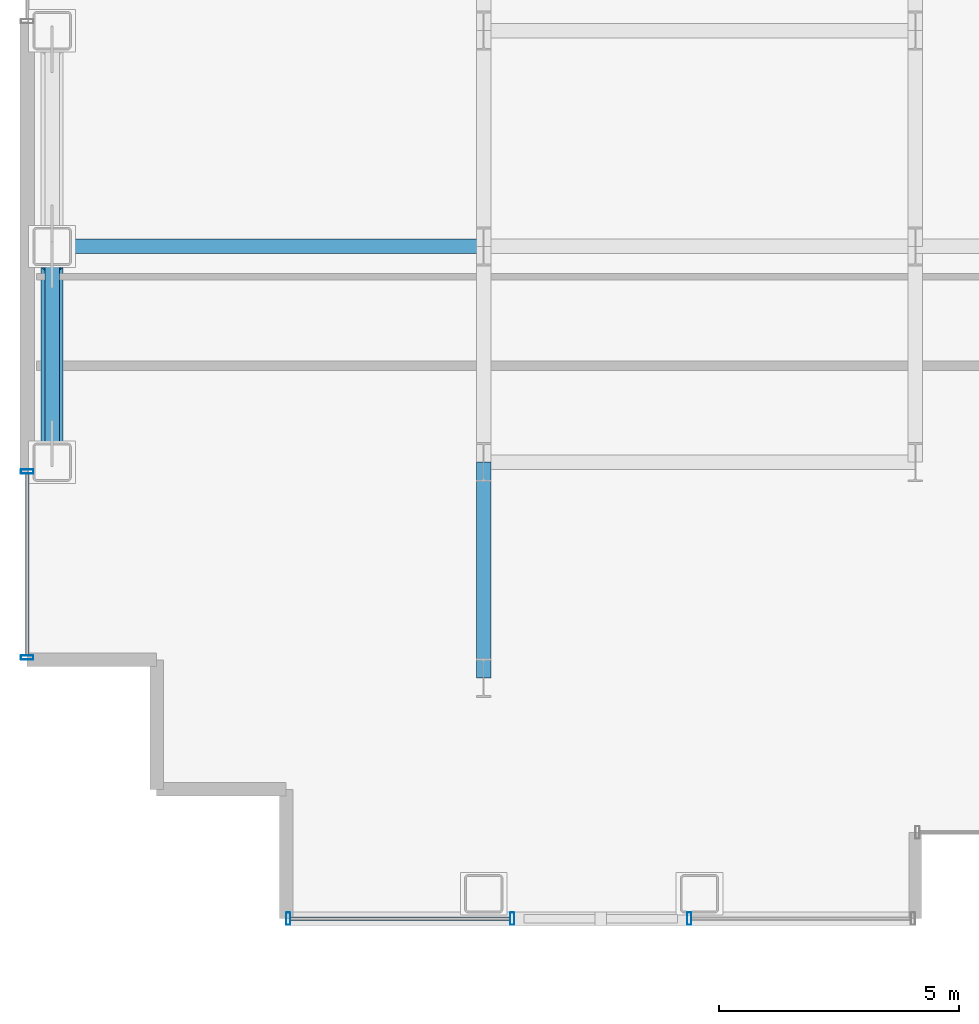
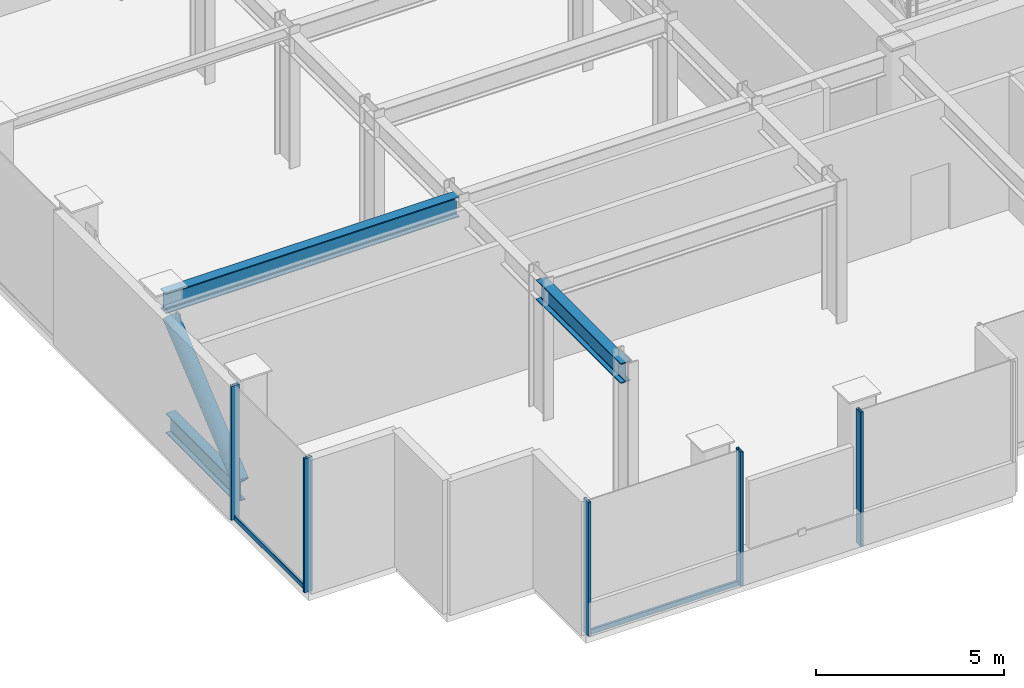
# One storey, part 3 of 26: 9 members, 2 beams, 3 elements without a shape of their own.
"""IFC4 building model written with IfcOpenShell, lengths in metres."""

from ifc_helpers import new_model, si_unit, direction, frame, origin, origin_2d, place, context, subcontext, project, spatial, hollow_rectangle, hollow_circle, i_section, extrude, source, transform, mapped, material, layer, layer_set, material_profile, profile_set, type_object, element, aggregate, save


model = new_model("IFC4")

# Units and contexts
model_context = context("Model", 3, precision=1e-05, world=origin(), true_north=direction((0.0, 1.0)))
body_context = subcontext(model_context, "Body", "Model", "MODEL_VIEW")
ifc_project = project(units=[si_unit("LENGTHUNIT", "METRE"), si_unit("AREAUNIT", "SQUARE_METRE"), si_unit("VOLUMEUNIT", "CUBIC_METRE"), si_unit("PLANEANGLEUNIT", "RADIAN"), si_unit("MASSUNIT", "GRAM", prefix="KILO")], contexts=[model_context])

# Site, building, storey
site_placement = place(None, origin())
site = spatial("IfcSite", under=ifc_project, at=site_placement, CompositionType="ELEMENT")
building_placement = place(site_placement, origin())
building = spatial("IfcBuilding", under=site, at=building_placement, Name="Nefas-Gora Pilgrimage Tower", CompositionType="ELEMENT")
storey_placement = place(building_placement, frame((0.0, 0.0, 202.0)))
storey = spatial("IfcBuildingStorey", under=building, at=storey_placement, Name="L50", CompositionType="ELEMENT", Elevation=202.0)

# Beams
ifc_material_1 = material(Name="Steel S355", Category="steel")
ifc_material_profile_1 = material_profile(ifc_material_1, i_section(OverallWidth=0.300048828125, OverallDepth=0.64990234375, WebThickness=0.01611328125, FlangeThickness=0.031005859375, FilletRadius=0.027099609375, at=origin_2d()), Name="HEB 650")
ifc_profile_set_1 = profile_set([ifc_material_profile_1], Name="Steel S355")
beam_type = type_object("IfcBeamType", Name="BM-GIR-HEB650", PredefinedType="BEAM", material=ifc_profile_set_1)
shared_shape_1 = source(origin(), body_context, "Body", "SweptSolid", [
    extrude(i_section(OverallWidth=0.300048828125, OverallDepth=0.64990234375, WebThickness=0.01611328125, FlangeThickness=0.031005859375, FilletRadius=0.027099609375, at=origin_2d()), origin(), (0.0, 0.0, 1.0), 9.0),
])
beam_1_placement = place(storey_placement, frame((-33.75, -9.0, 4.02490234375), z_axis=(1.0, 0.0, 0.0), x_axis=(0.0, 1.0, 0.0)))
element("IfcBeam", 1, at=beam_1_placement, inside=storey, type_object=beam_type, Name="L50 G-03 beam", PredefinedType="BEAM", context=body_context, shape_type="MappedRepresentation", body=[
    mapped(shared_shape_1, transform((0.0, 0.0, 0.0), x_axis=(1.0, 0.0, 0.0), y_axis=(0.0, 1.0, 0.0), z_axis=(0.0, 0.0, 1.0), scale=1.0)),
])
shared_shape_2 = source(origin(), body_context, "Body", "SweptSolid", [
    extrude(i_section(OverallWidth=0.300048828125, OverallDepth=0.64990234375, WebThickness=0.01611328125, FlangeThickness=0.031005859375, FilletRadius=0.027099609375, at=origin_2d()), origin(), (0.0, 0.0, 1.0), 4.5),
])
beam_2_placement = place(storey_placement, frame((-24.75, -18.0, 4.02490234375), z_axis=(0.0, 1.0, 0.0), x_axis=(-1.0, 0.0, 0.0)))
element("IfcBeam", 2, at=beam_2_placement, inside=storey, type_object=beam_type, Name="L50 G-03 beam", PredefinedType="BEAM", context=body_context, shape_type="MappedRepresentation", body=[
    mapped(shared_shape_2, transform((0.0, 0.0, 0.0), x_axis=(1.0, 0.0, 0.0), y_axis=(0.0, 1.0, 0.0), z_axis=(0.0, 0.0, 1.0), scale=1.0)),
])

# Members
ifc_material_2 = material(Name="Steel S460", Category="steel")
ifc_material_profile_2 = material_profile(ifc_material_2, hollow_circle(Radius=0.228515625, WallThickness=0.028076171875, at=origin_2d()), Name="CHS 457x28")
ifc_profile_set_2 = profile_set([ifc_material_profile_2], Name="Steel S460")
member_type_1 = type_object("IfcMemberType", Name="MEM-BELT-457", PredefinedType="BRACE", material=ifc_profile_set_2)
shared_shape_3 = source(origin(), body_context, "Body", "SweptSolid", [
    extrude(hollow_circle(Radius=0.228515625, WallThickness=0.028076171875, at=origin_2d()), origin(), (0.0, 0.0, 1.0), 4.84765625),
])
member_1_placement = place(storey_placement, frame((-33.75, -13.112060546875, 0.67333984375), z_axis=(0.0, 0.768237791814, 0.640164584485), x_axis=(-1.0, 0.0, 0.0)))
element("IfcMember", 3, at=member_1_placement, inside=storey, type_object=member_type_1, Name="L50 Perimeter Belt-Truss Diagonal 1", PredefinedType="BRACE", context=body_context, shape_type="MappedRepresentation", body=[
    mapped(shared_shape_3, transform((0.0, 0.0, 0.0), x_axis=(1.0, 0.0, 0.0), y_axis=(0.0, 1.0, 0.0), z_axis=(0.0, 0.0, 1.0), scale=1.0)),
])
ifc_material_profile_3 = material_profile(ifc_material_2, i_section(OverallWidth=0.300048828125, OverallDepth=0.64990234375, WebThickness=0.01611328125, FlangeThickness=0.031005859375, FilletRadius=0.027099609375, at=origin_2d()), Name="HEB 650")
ifc_profile_set_3 = profile_set([ifc_material_profile_3], Name="Steel S460")
member_type_2 = type_object("IfcMemberType", Name="MEM-BELT-CHORD", PredefinedType="CHORD", material=ifc_profile_set_3)
shared_shape_4 = source(origin(), body_context, "Body", "SweptSolid", [
    extrude(i_section(OverallWidth=0.300048828125, OverallDepth=0.64990234375, WebThickness=0.01611328125, FlangeThickness=0.031005859375, FilletRadius=0.027099609375, at=origin_2d()), origin(), (0.0, 0.0, 1.0), 3.72412109375),
])
member_2_placement = place(storey_placement, frame((-33.75, -13.112060546875, 0.35009765625), z_axis=(0.0, 1.0, 0.0), x_axis=(-1.0, 0.0, 0.0)))
element("IfcMember", 4, at=member_2_placement, inside=storey, type_object=member_type_2, Name="L50 Perimeter Belt-Truss Bottom Chord 1", PredefinedType="CHORD", context=body_context, shape_type="MappedRepresentation", body=[
    mapped(shared_shape_4, transform((0.0, 0.0, 0.0), x_axis=(1.0, 0.0, 0.0), y_axis=(0.0, 1.0, 0.0), z_axis=(0.0, 0.0, 1.0), scale=1.0)),
])

# Curtain wall, members
ifc_material_3 = material(Name="Dark ceramic-fritted solar-control aluminium-glass curtain wall", Category="aluminium")
ifc_layer = layer(ifc_material_3, 0.219970703125)
ifc_layer_set = layer_set([ifc_layer], Name="Dark ceramic-fritted solar-control aluminium-glass curtain wall")
curtain_wall_type = type_object("IfcCurtainWallType", Name="CW-SYS-3", PredefinedType="NOTDEFINED", material=ifc_layer_set)
curtain_wall_1_placement = place(storey_placement, origin())
curtain_wall_1 = element("IfcCurtainWall", 5, at=curtain_wall_1_placement, inside=storey, type_object=curtain_wall_type, Name="L50 Unitised Curtain Wall CW3", PredefinedType="NOTDEFINED")
ifc_material_4 = material(Name="Anodised architectural aluminium", Category="aluminium")
ifc_material_profile_4 = material_profile(ifc_material_4, hollow_rectangle(XDim=0.090087890625, YDim=0.260009765625, WallThickness=0.006103515625, InnerFilletRadius=0.006103515625, OuterFilletRadius=0.011962890625, at=origin_2d()), Name="ALU MULLION 90x260")
ifc_profile_set_4 = profile_set([ifc_material_profile_4], Name="Anodised architectural aluminium")
member_type_3 = type_object("IfcMemberType", Name="CWM-MUL-3", PredefinedType="MULLION", material=ifc_profile_set_4)
shared_shape_5 = source(origin(), body_context, "Body", "SweptSolid", [
    extrude(hollow_rectangle(XDim=0.090087890625, YDim=0.260009765625, WallThickness=0.006103515625, InnerFilletRadius=0.006103515625, OuterFilletRadius=0.011962890625, at=origin_2d()), origin(), (0.0, 0.0, 1.0), 4.35009765625),
])
member_3_placement = place(storey_placement, frame((-34.27001953125, -13.695068359375, 0.0), z_axis=(0.0, 0.0, 1.0), x_axis=(0.0, -1.0, 0.0)))
member_3 = element("IfcMember", 6, at=member_3_placement, type_object=member_type_3, Name="CW3 Mullion 1", PredefinedType="MULLION", context=body_context, shape_type="MappedRepresentation", body=[
    mapped(shared_shape_5, transform((0.0, 0.0, 0.0), x_axis=(1.0, 0.0, 0.0), y_axis=(0.0, 1.0, 0.0), z_axis=(0.0, 0.0, 1.0), scale=1.0)),
])
member_4_placement = place(storey_placement, frame((-34.27001953125, -17.574951171875, 0.0), z_axis=(0.0, 0.0, 1.0), x_axis=(0.0, -1.0, 0.0)))
member_4 = element("IfcMember", 7, at=member_4_placement, type_object=member_type_3, Name="CW3 Mullion 2", PredefinedType="MULLION", context=body_context, shape_type="MappedRepresentation", body=[
    mapped(shared_shape_5, transform((0.0, 0.0, 0.0), x_axis=(1.0, 0.0, 0.0), y_axis=(0.0, 1.0, 0.0), z_axis=(0.0, 0.0, 1.0), scale=1.0)),
])

curtain_wall_2_placement = place(storey_placement, origin())
curtain_wall_2 = element("IfcCurtainWall", 8, at=curtain_wall_2_placement, inside=storey, type_object=curtain_wall_type, Name="L50 Unitised Curtain Wall CW3", PredefinedType="NOTDEFINED")
member_5_placement = place(storey_placement, frame((-28.824951171875, -23.02001953125, 0.0), z_axis=(0.0, 0.0, 1.0), x_axis=(1.0, 0.0, 0.0)))
member_5 = element("IfcMember", 9, at=member_5_placement, type_object=member_type_3, Name="CW3 Mullion 1", PredefinedType="MULLION", context=body_context, shape_type="MappedRepresentation", body=[
    mapped(shared_shape_5, transform((0.0, 0.0, 0.0), x_axis=(1.0, 0.0, 0.0), y_axis=(0.0, 1.0, 0.0), z_axis=(0.0, 0.0, 1.0), scale=1.0)),
])
member_6_placement = place(storey_placement, frame((-24.155029296875, -23.02001953125, 0.0), z_axis=(0.0, 0.0, 1.0), x_axis=(1.0, 0.0, 0.0)))
member_6 = element("IfcMember", 10, at=member_6_placement, type_object=member_type_3, Name="CW3 Mullion 2", PredefinedType="MULLION", context=body_context, shape_type="MappedRepresentation", body=[
    mapped(shared_shape_5, transform((0.0, 0.0, 0.0), x_axis=(1.0, 0.0, 0.0), y_axis=(0.0, 1.0, 0.0), z_axis=(0.0, 0.0, 1.0), scale=1.0)),
])

# Curtain wall, member
curtain_wall_3_placement = place(storey_placement, origin())
curtain_wall_3 = element("IfcCurtainWall", 11, at=curtain_wall_3_placement, inside=storey, type_object=curtain_wall_type, Name="L50 Unitised Curtain Wall CW3", PredefinedType="NOTDEFINED")
member_7_placement = place(storey_placement, frame((-20.465087890625, -23.02001953125, 0.0), z_axis=(0.0, 0.0, 1.0), x_axis=(1.0, 0.0, 0.0)))
member_7 = element("IfcMember", 12, at=member_7_placement, type_object=member_type_3, Name="CW3 Mullion 1", PredefinedType="MULLION", context=body_context, shape_type="MappedRepresentation", body=[
    mapped(shared_shape_5, transform((0.0, 0.0, 0.0), x_axis=(1.0, 0.0, 0.0), y_axis=(0.0, 1.0, 0.0), z_axis=(0.0, 0.0, 1.0), scale=1.0)),
])
aggregate(curtain_wall_3, [member_7])

# Member
ifc_material_profile_5 = material_profile(ifc_material_4, hollow_rectangle(XDim=0.080078125, YDim=0.159912109375, WallThickness=0.00439453125, InnerFilletRadius=0.00439453125, OuterFilletRadius=0.009033203125, at=origin_2d()), Name="ALU TRANSOM 80x160")
ifc_profile_set_5 = profile_set([ifc_material_profile_5], Name="Anodised architectural aluminium")
member_type_4 = type_object("IfcMemberType", Name="CWM-TRN-3", PredefinedType="USERDEFINED", material=ifc_profile_set_5)
shared_shape_6 = source(origin(), body_context, "Body", "SweptSolid", [
    extrude(hollow_rectangle(XDim=0.080078125, YDim=0.159912109375, WallThickness=0.00439453125, InnerFilletRadius=0.00439453125, OuterFilletRadius=0.009033203125, at=origin_2d()), origin(), (0.0, 0.0, 1.0), 3.7900390625),
])
member_8_placement = place(storey_placement, frame((-34.27001953125, -13.739990234375, 0.050048828125), z_axis=(0.0, -1.0, 0.0), x_axis=(1.0, 0.0, 0.0)))
member_8 = element("IfcMember", 13, at=member_8_placement, type_object=member_type_4, Name="CW3 Spandrel Transom", ObjectType="TRANSOM", PredefinedType="USERDEFINED", context=body_context, shape_type="MappedRepresentation", body=[
    mapped(shared_shape_6, transform((0.0, 0.0, 0.0), x_axis=(1.0, 0.0, 0.0), y_axis=(0.0, 1.0, 0.0), z_axis=(0.0, 0.0, 1.0), scale=1.0)),
])

aggregate(curtain_wall_1, [member_3, member_4, member_8])

shared_shape_7 = source(origin(), body_context, "Body", "SweptSolid", [
    extrude(hollow_rectangle(XDim=0.080078125, YDim=0.159912109375, WallThickness=0.00439453125, InnerFilletRadius=0.00439453125, OuterFilletRadius=0.009033203125, at=origin_2d()), origin(), (0.0, 0.0, 1.0), 4.580078125),
])
member_9_placement = place(storey_placement, frame((-28.780029296875, -23.02001953125, 0.050048828125), z_axis=(1.0, 0.0, 0.0), x_axis=(0.0, 1.0, 0.0)))
member_9 = element("IfcMember", 14, at=member_9_placement, type_object=member_type_4, Name="CW3 Spandrel Transom", ObjectType="TRANSOM", PredefinedType="USERDEFINED", context=body_context, shape_type="MappedRepresentation", body=[
    mapped(shared_shape_7, transform((0.0, 0.0, 0.0), x_axis=(1.0, 0.0, 0.0), y_axis=(0.0, 1.0, 0.0), z_axis=(0.0, 0.0, 1.0), scale=1.0)),
])

aggregate(curtain_wall_2, [member_5, member_6, member_9])

save(model, "model.ifc")
